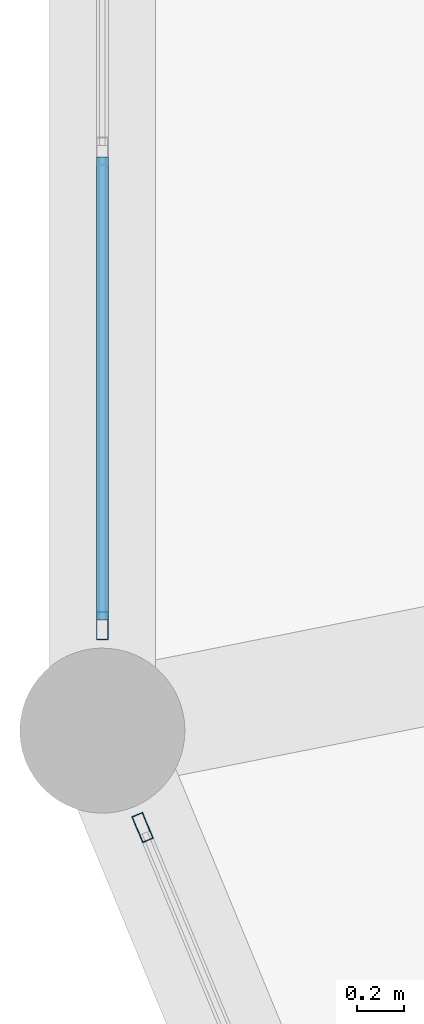
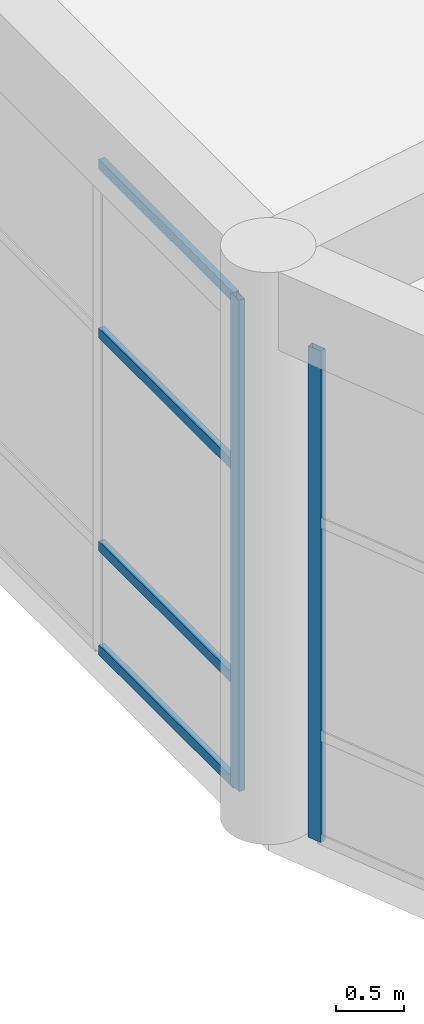
# One storey, part 7 of 95: 6 members, 2 elements without a shape of their own.
"""IFC4 building model written with IfcOpenShell, lengths in metres."""

from ifc_helpers import new_model, si_unit, direction, frame, origin, origin_2d, place, context, subcontext, project, spatial, hollow_rectangle, extrude, material, material_profile, profile_set, type_object, element, aggregate, save


model = new_model("IFC4")

# Units and contexts
model_context = context("Model", 3, precision=1e-05, world=origin(), true_north=direction((0.0, 1.0)))
body_context = subcontext(model_context, "Body", "Model", "MODEL_VIEW")
ifc_project = project(units=[si_unit("LENGTHUNIT", "METRE"), si_unit("AREAUNIT", "SQUARE_METRE"), si_unit("VOLUMEUNIT", "CUBIC_METRE"), si_unit("PLANEANGLEUNIT", "RADIAN"), si_unit("MASSUNIT", "GRAM", prefix="KILO")], contexts=[model_context])

# Site, building, storey
site_placement = place(None, origin())
site = spatial("IfcSite", under=ifc_project, at=site_placement, CompositionType="ELEMENT")
building_placement = place(site_placement, origin())
building = spatial("IfcBuilding", under=site, at=building_placement, Name="Almacenes y Pasaje Nevantli", CompositionType="ELEMENT")
storey_placement = place(building_placement, frame((0.0, 0.0, 11.39990234375)))
storey = spatial("IfcBuildingStorey", under=building, at=storey_placement, Name="L03", CompositionType="ELEMENT", Elevation=11.39990234375)

# Curtain wall, member
ifc_material_1 = material(Name="Thermally Broken Aluminium and Low-E Glass", Category="aluminium")
curtain_wall_type = type_object("IfcCurtainWallType", Name="CW-UNIT-ROTUNDA", PredefinedType="USERDEFINED", material=ifc_material_1)
curtain_wall_1_placement = place(storey_placement, origin())
curtain_wall_1 = element("IfcCurtainWall", 1, at=curtain_wall_1_placement, inside=storey, type_object=curtain_wall_type, Name="L03 Corner Rotunda Faceted Curtain Wall Facet #8", ObjectType="UNITIZED CURTAIN WALL", PredefinedType="USERDEFINED")
ifc_material_2 = material(Name="Thermally Broken Anodized Aluminium", Category="aluminium")
ifc_material_profile_1 = material_profile(ifc_material_2, hollow_rectangle(XDim=0.050048828125, YDim=0.1201171875, WallThickness=0.003173828125, at=origin_2d()), Name="ALU-MUL-50x120")
ifc_profile_set_1 = profile_set([ifc_material_profile_1], Name="Thermally Broken Anodized Aluminium")
member_type_1 = type_object("IfcMemberType", Name="CW-MUL-140", PredefinedType="MULLION", material=ifc_profile_set_1)
member_1_placement = place(storey_placement, frame((-3.9580078125, 6.386962890625, 0.0), z_axis=(0.0, 0.0, 1.0), x_axis=(1.0, 0.0, 0.0)))
member_1 = element("IfcMember", 2, at=member_1_placement, type_object=member_type_1, Name="CW-L03-060 mullion 3", PredefinedType="MULLION", context=body_context, shape_type="SweptSolid", body=[
    extrude(hollow_rectangle(XDim=0.050048828125, YDim=0.1201171875, WallThickness=0.003173828125, at=origin_2d()), origin(), (0.0, 0.0, 1.0), 4.380126953125),
])

curtain_wall_2_placement = place(storey_placement, origin())
curtain_wall_2 = element("IfcCurtainWall", 3, at=curtain_wall_2_placement, inside=storey, type_object=curtain_wall_type, Name="L03 Corner Rotunda Faceted Curtain Wall Facet #9", ObjectType="UNITIZED CURTAIN WALL", PredefinedType="USERDEFINED")
member_2_placement = place(storey_placement, frame((-3.78759765625, 5.53076171875, 0.0), z_axis=(0.0, 0.0, 1.0), x_axis=(0.923873311502, 0.382698450865, 0.0)))
member_2 = element("IfcMember", 4, at=member_2_placement, type_object=member_type_1, Name="CW-L03-061 mullion 1", PredefinedType="MULLION", context=body_context, shape_type="SweptSolid", body=[
    extrude(hollow_rectangle(XDim=0.050048828125, YDim=0.1201171875, WallThickness=0.003173828125, at=origin_2d()), origin(), (0.0, 0.0, 1.0), 4.380126953125),
])
aggregate(curtain_wall_2, [member_2])

# Member
ifc_material_3 = material(Name="Thermally Broken Anodized Aluminium", Category="aluminium")
ifc_material_profile_2 = material_profile(ifc_material_3, hollow_rectangle(XDim=0.050048828125, YDim=0.090087890625, WallThickness=0.0029296875, at=origin_2d()), Name="ALU-TRN-50x90")
ifc_profile_set_2 = profile_set([ifc_material_profile_2], Name="Thermally Broken Anodized Aluminium")
member_type_2 = type_object("IfcMemberType", Name="CW-TRN-100", PredefinedType="USERDEFINED", material=ifc_profile_set_2)
member_3_placement = place(storey_placement, frame((-3.9580078125, 8.375, 0.025146484375), z_axis=(0.0, -1.0, 0.0), x_axis=(1.0, 0.0, 0.0)))
member_3 = element("IfcMember", 5, at=member_3_placement, type_object=member_type_2, Name="CW-L03-060 transom 2.1", ObjectType="TRANSOM", PredefinedType="USERDEFINED", context=body_context, shape_type="SweptSolid", body=[
    extrude(hollow_rectangle(XDim=0.050048828125, YDim=0.090087890625, WallThickness=0.0029296875, at=origin_2d()), origin(), (0.0, 0.0, 1.0), 1.963134765625),
])

member_4_placement = place(storey_placement, frame((-3.9580078125, 8.375, 0.9501953125), z_axis=(0.0, -1.0, 0.0), x_axis=(1.0, 0.0, 0.0)))
member_4 = element("IfcMember", 6, at=member_4_placement, type_object=member_type_2, Name="CW-L03-060 transom 2.2", ObjectType="TRANSOM", PredefinedType="USERDEFINED", context=body_context, shape_type="SweptSolid", body=[
    extrude(hollow_rectangle(XDim=0.050048828125, YDim=0.090087890625, WallThickness=0.0029296875, at=origin_2d()), origin(), (0.0, 0.0, 1.0), 1.963134765625),
])

member_5_placement = place(storey_placement, frame((-3.9580078125, 8.375, 2.85009765625), z_axis=(0.0, -1.0, 0.0), x_axis=(1.0, 0.0, 0.0)))
member_5 = element("IfcMember", 7, at=member_5_placement, type_object=member_type_2, Name="CW-L03-060 transom 2.3", ObjectType="TRANSOM", PredefinedType="USERDEFINED", context=body_context, shape_type="SweptSolid", body=[
    extrude(hollow_rectangle(XDim=0.050048828125, YDim=0.090087890625, WallThickness=0.0029296875, at=origin_2d()), origin(), (0.0, 0.0, 1.0), 1.963134765625),
])

member_6_placement = place(storey_placement, frame((-3.9580078125, 8.375, 4.35498046875), z_axis=(0.0, -1.0, 0.0), x_axis=(1.0, 0.0, 0.0)))
member_6 = element("IfcMember", 8, at=member_6_placement, type_object=member_type_2, Name="CW-L03-060 transom 2.4", ObjectType="TRANSOM", PredefinedType="USERDEFINED", context=body_context, shape_type="SweptSolid", body=[
    extrude(hollow_rectangle(XDim=0.050048828125, YDim=0.090087890625, WallThickness=0.0029296875, at=origin_2d()), origin(), (0.0, 0.0, 1.0), 1.963134765625),
])

aggregate(curtain_wall_1, [member_1, member_3, member_4, member_5, member_6])

save(model, "model.ifc")
